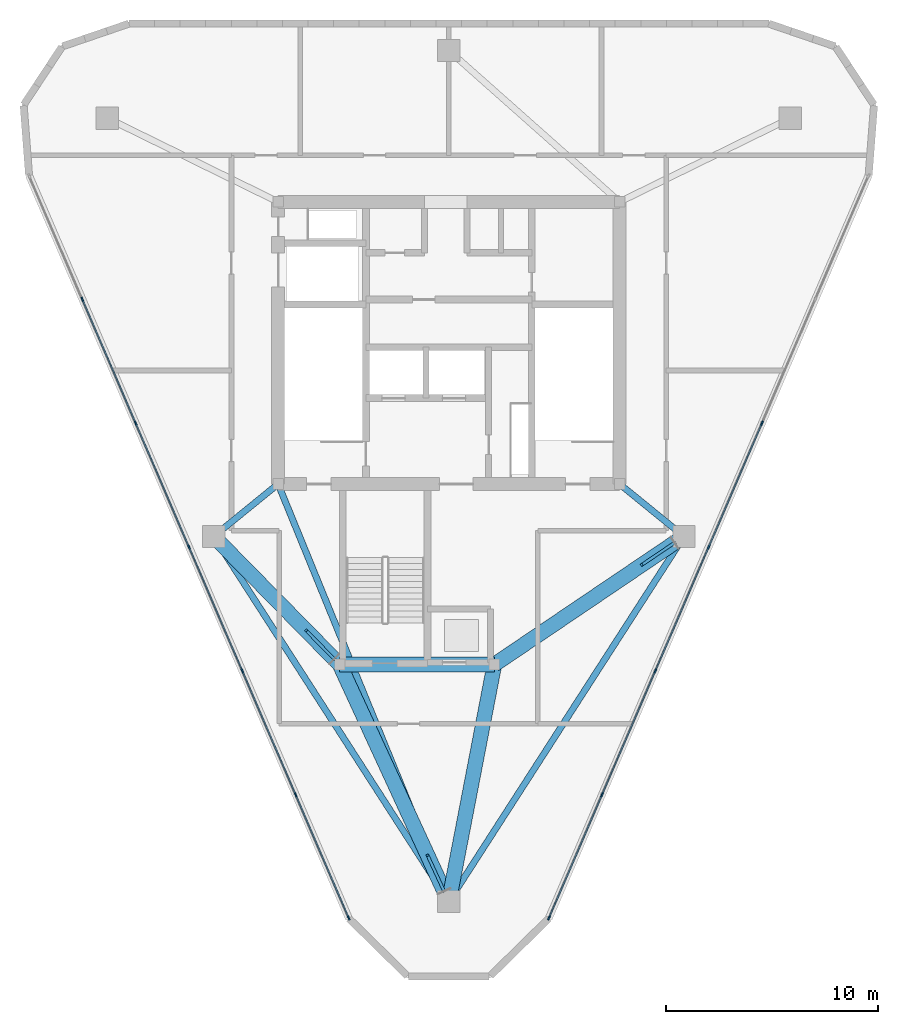
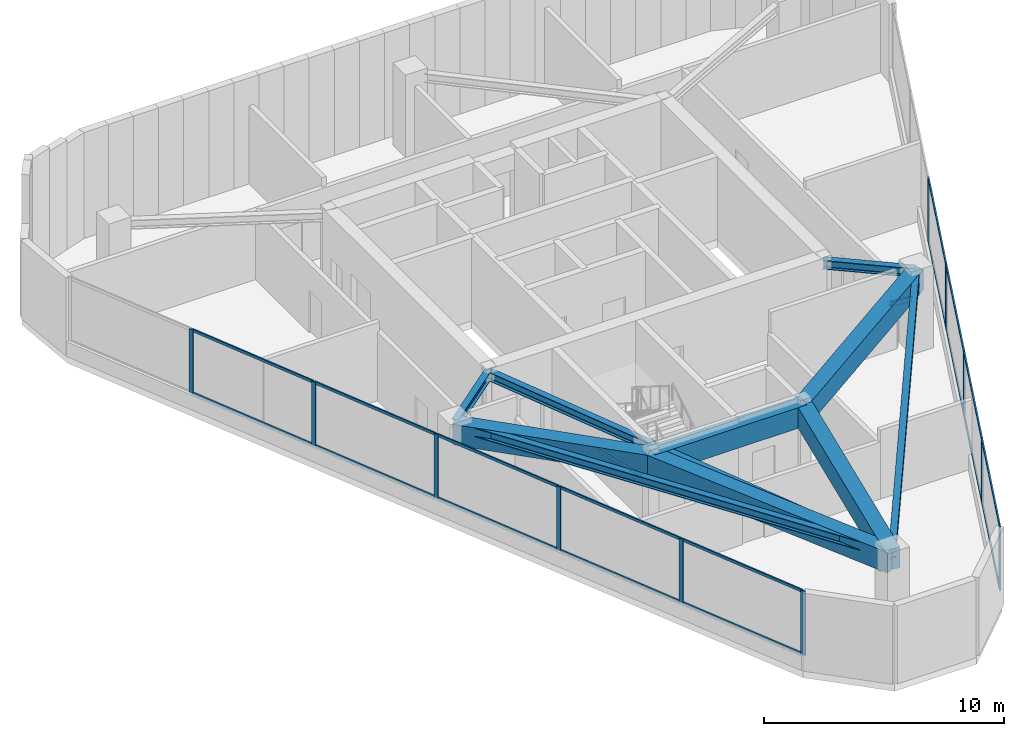
# One storey, part 2 of 9: 32 members, 10 beams, 2 elements without a shape of their own.
"""IFC4 building model written with IfcOpenShell, lengths in metres."""

from ifc_helpers import new_model, si_unit, direction, frame, origin, origin_2d, place, context, subcontext, project, spatial, rectangle, hollow_rectangle, i_section, extrude, material, layer, layer_set, material_profile, profile_set, type_object, element, aggregate, save


model = new_model("IFC4")

# Units and contexts
model_context = context("Model", 3, precision=1e-05, world=origin(), true_north=direction((0.0, 1.0)))
body_context = subcontext(model_context, "Body", "Model", "MODEL_VIEW")
ifc_project = project(units=[si_unit("LENGTHUNIT", "METRE"), si_unit("AREAUNIT", "SQUARE_METRE"), si_unit("VOLUMEUNIT", "CUBIC_METRE"), si_unit("PLANEANGLEUNIT", "RADIAN"), si_unit("MASSUNIT", "GRAM", prefix="KILO")], contexts=[model_context])

# Site, building, storey
site_placement = place(None, origin())
site = spatial("IfcSite", under=ifc_project, at=site_placement, CompositionType="ELEMENT")
building_placement = place(site_placement, origin())
building = spatial("IfcBuilding", under=site, at=building_placement, Name="Talyreon Biosciences Tower", CompositionType="ELEMENT")
storey_placement = place(building_placement, frame((0.0, 0.0, 317.199951171875)))
storey = spatial("IfcBuildingStorey", under=building, at=storey_placement, Name="L84", CompositionType="ELEMENT", Elevation=317.199951171875)

# Curtain wall, members
ifc_material_1 = material(Name="Thermally broken aluminium and low-E glazing", Category="aluminium")
ifc_layer = layer(ifc_material_1, 0.2099609375)
ifc_layer_set = layer_set([ifc_layer], Name="Thermally broken aluminium and low-E glazing")
curtain_wall_type = type_object("IfcCurtainWallType", Name="CurtainWall_SlantedCrown", PredefinedType="NOTDEFINED", material=ifc_layer_set)
curtain_wall_1_placement = place(storey_placement, origin())
curtain_wall_1 = element("IfcCurtainWall", 1, at=curtain_wall_1_placement, inside=storey, type_object=curtain_wall_type, Name="L84 Unitised Curtain Wall FCW-L84-07C", PredefinedType="NOTDEFINED")
ifc_material_2 = material(Name="Anodised thermally broken aluminium", Category="aluminium")
ifc_material_profile_1 = material_profile(ifc_material_2, rectangle(XDim=0.074951171875, YDim=0.2099609375, at=origin_2d()), Name="ALUM MULLION 75x210")
ifc_profile_set_1 = profile_set([ifc_material_profile_1], Name="Anodised thermally broken aluminium")
member_type_1 = type_object("IfcMemberType", Name="CWMullion_75x210", PredefinedType="MULLION", material=ifc_profile_set_1)
member_1_placement = place(storey_placement, frame((80.767822265625, 64.22021484375, 0.7099609375), z_axis=(0.0, 0.0, 1.0), x_axis=(0.918487228756, -0.395450642447, 0.0)))
member_1 = element("IfcMember", 2, at=member_1_placement, type_object=member_type_1, Name="CW8 mullion 3", PredefinedType="MULLION", context=body_context, shape_type="SweptSolid", body=[
    extrude(rectangle(XDim=0.074951171875, YDim=0.2099609375, at=origin_2d()), origin(), (0.0, 0.0, 1.0), 3.255126953125),
])
member_2_placement = place(storey_placement, frame((78.253173828125, 58.379150390625, 0.7099609375), z_axis=(0.0, 0.0, 1.0), x_axis=(0.918487228756, -0.395450642447, 0.0)))
member_2 = element("IfcMember", 3, at=member_2_placement, type_object=member_type_1, Name="CW8 mullion 4", PredefinedType="MULLION", context=body_context, shape_type="SweptSolid", body=[
    extrude(rectangle(XDim=0.074951171875, YDim=0.2099609375, at=origin_2d()), origin(), (0.0, 0.0, 1.0), 3.255126953125),
])
member_3_placement = place(storey_placement, frame((75.73828125, 52.538330078125, 0.7099609375), z_axis=(0.0, 0.0, 1.0), x_axis=(0.918487228756, -0.395450642447, 0.0)))
member_3 = element("IfcMember", 4, at=member_3_placement, type_object=member_type_1, Name="CW8 mullion 5", PredefinedType="MULLION", context=body_context, shape_type="SweptSolid", body=[
    extrude(rectangle(XDim=0.074951171875, YDim=0.2099609375, at=origin_2d()), origin(), (0.0, 0.0, 1.0), 3.255126953125),
])
member_4_placement = place(storey_placement, frame((73.2236328125, 46.697509765625, 0.7099609375), z_axis=(0.0, 0.0, 1.0), x_axis=(0.918487228756, -0.395450642447, 0.0)))
member_4 = element("IfcMember", 5, at=member_4_placement, type_object=member_type_1, Name="CW8 mullion 6", PredefinedType="MULLION", context=body_context, shape_type="SweptSolid", body=[
    extrude(rectangle(XDim=0.074951171875, YDim=0.2099609375, at=origin_2d()), origin(), (0.0, 0.0, 1.0), 3.255126953125),
])
member_5_placement = place(storey_placement, frame((70.7236328125, 40.89111328125, 0.7099609375), z_axis=(0.0, 0.0, 1.0), x_axis=(0.918487228756, -0.395450642447, 0.0)))
member_5 = element("IfcMember", 6, at=member_5_placement, type_object=member_type_1, Name="CW8 mullion 7", PredefinedType="MULLION", context=body_context, shape_type="SweptSolid", body=[
    extrude(rectangle(XDim=0.074951171875, YDim=0.2099609375, at=origin_2d()), origin(), (0.0, 0.0, 1.0), 3.255126953125),
])

curtain_wall_2_placement = place(storey_placement, origin())
curtain_wall_2 = element("IfcCurtainWall", 7, at=curtain_wall_2_placement, inside=storey, type_object=curtain_wall_type, Name="L84 Unitised Curtain Wall FCW-L84-11C", PredefinedType="NOTDEFINED")
member_6_placement = place(storey_placement, frame((61.2763671875, 40.89111328125, 0.7099609375), z_axis=(0.0, 0.0, 1.0), x_axis=(-0.918487228756, -0.395450642447, 0.0)))
member_6 = element("IfcMember", 8, at=member_6_placement, type_object=member_type_1, Name="CW8 mullion 1", PredefinedType="MULLION", context=body_context, shape_type="SweptSolid", body=[
    extrude(rectangle(XDim=0.074951171875, YDim=0.2099609375, at=origin_2d()), origin(), (0.0, 0.0, 1.0), 3.255126953125),
])
member_7_placement = place(storey_placement, frame((58.7763671875, 46.697509765625, 0.7099609375), z_axis=(0.0, 0.0, 1.0), x_axis=(-0.918487228756, -0.395450642447, 0.0)))
member_7 = element("IfcMember", 9, at=member_7_placement, type_object=member_type_1, Name="CW8 mullion 2", PredefinedType="MULLION", context=body_context, shape_type="SweptSolid", body=[
    extrude(rectangle(XDim=0.074951171875, YDim=0.2099609375, at=origin_2d()), origin(), (0.0, 0.0, 1.0), 3.255126953125),
])
member_8_placement = place(storey_placement, frame((56.26171875, 52.538330078125, 0.7099609375), z_axis=(0.0, 0.0, 1.0), x_axis=(-0.918487228756, -0.395450642447, 0.0)))
member_8 = element("IfcMember", 10, at=member_8_placement, type_object=member_type_1, Name="CW8 mullion 3", PredefinedType="MULLION", context=body_context, shape_type="SweptSolid", body=[
    extrude(rectangle(XDim=0.074951171875, YDim=0.2099609375, at=origin_2d()), origin(), (0.0, 0.0, 1.0), 3.255126953125),
])
member_9_placement = place(storey_placement, frame((53.746826171875, 58.379150390625, 0.7099609375), z_axis=(0.0, 0.0, 1.0), x_axis=(-0.918487228756, -0.395450642447, 0.0)))
member_9 = element("IfcMember", 11, at=member_9_placement, type_object=member_type_1, Name="CW8 mullion 4", PredefinedType="MULLION", context=body_context, shape_type="SweptSolid", body=[
    extrude(rectangle(XDim=0.074951171875, YDim=0.2099609375, at=origin_2d()), origin(), (0.0, 0.0, 1.0), 3.255126953125),
])
member_10_placement = place(storey_placement, frame((51.232177734375, 64.22021484375, 0.7099609375), z_axis=(0.0, 0.0, 1.0), x_axis=(-0.918487228756, -0.395450642447, 0.0)))
member_10 = element("IfcMember", 12, at=member_10_placement, type_object=member_type_1, Name="CW8 mullion 5", PredefinedType="MULLION", context=body_context, shape_type="SweptSolid", body=[
    extrude(rectangle(XDim=0.074951171875, YDim=0.2099609375, at=origin_2d()), origin(), (0.0, 0.0, 1.0), 3.255126953125),
])
member_11_placement = place(storey_placement, frame((48.71728515625, 70.06103515625, 0.7099609375), z_axis=(0.0, 0.0, 1.0), x_axis=(-0.918487228756, -0.395450642447, 0.0)))
member_11 = element("IfcMember", 13, at=member_11_placement, type_object=member_type_1, Name="CW8 mullion 6", PredefinedType="MULLION", context=body_context, shape_type="SweptSolid", body=[
    extrude(rectangle(XDim=0.074951171875, YDim=0.2099609375, at=origin_2d()), origin(), (0.0, 0.0, 1.0), 3.255126953125),
])

# Member
ifc_material_profile_2 = material_profile(ifc_material_2, rectangle(XDim=0.06494140625, YDim=0.139892578125, at=origin_2d()), Name="ALUM TRANSOM 65x140")
ifc_profile_set_2 = profile_set([ifc_material_profile_2], Name="Anodised thermally broken aluminium")
member_type_2 = type_object("IfcMemberType", Name="CWTransom_65x140", PredefinedType="USERDEFINED", material=ifc_profile_set_2)
member_12_placement = place(storey_placement, frame((80.7529296875, 64.185791015625, 0.742431640625), z_axis=(-0.395437866988, -0.918492729069, 0.0), x_axis=(0.918492729069, -0.395437866988, 0.0)))
member_12 = element("IfcMember", 14, at=member_12_placement, type_object=member_type_2, Name="CW8 transom 3.1", ObjectType="TRANSOM", PredefinedType="USERDEFINED", context=body_context, shape_type="SweptSolid", body=[
    extrude(rectangle(XDim=0.06494140625, YDim=0.139892578125, at=origin_2d()), origin(), (0.0, 0.0, 1.0), 6.284423828125),
])

member_13_placement = place(storey_placement, frame((80.7529296875, 64.185791015625, 3.9326171875), z_axis=(-0.395437866988, -0.918492729069, 0.0), x_axis=(0.918492729069, -0.395437866988, 0.0)))
member_13 = element("IfcMember", 15, at=member_13_placement, type_object=member_type_2, Name="CW8 transom 3.2", ObjectType="TRANSOM", PredefinedType="USERDEFINED", context=body_context, shape_type="SweptSolid", body=[
    extrude(rectangle(XDim=0.06494140625, YDim=0.139892578125, at=origin_2d()), origin(), (0.0, 0.0, 1.0), 6.284423828125),
])

member_14_placement = place(storey_placement, frame((78.23828125, 58.3447265625, 0.742431640625), z_axis=(-0.395451977448, -0.918486653976, 0.0), x_axis=(0.918486653976, -0.395451977448, 0.0)))
member_14 = element("IfcMember", 16, at=member_14_placement, type_object=member_type_2, Name="CW8 transom 4.1", ObjectType="TRANSOM", PredefinedType="USERDEFINED", context=body_context, shape_type="SweptSolid", body=[
    extrude(rectangle(XDim=0.06494140625, YDim=0.139892578125, at=origin_2d()), origin(), (0.0, 0.0, 1.0), 6.2841796875),
])

member_15_placement = place(storey_placement, frame((78.23828125, 58.3447265625, 3.9326171875), z_axis=(-0.395451977448, -0.918486653976, 0.0), x_axis=(0.918486653976, -0.395451977448, 0.0)))
member_15 = element("IfcMember", 17, at=member_15_placement, type_object=member_type_2, Name="CW8 transom 4.2", ObjectType="TRANSOM", PredefinedType="USERDEFINED", context=body_context, shape_type="SweptSolid", body=[
    extrude(rectangle(XDim=0.06494140625, YDim=0.139892578125, at=origin_2d()), origin(), (0.0, 0.0, 1.0), 6.2841796875),
])

member_16_placement = place(storey_placement, frame((75.723388671875, 52.50390625, 0.742431640625), z_axis=(-0.395451977448, -0.918486653976, 0.0), x_axis=(0.918486653976, -0.395451977448, 0.0)))
member_16 = element("IfcMember", 18, at=member_16_placement, type_object=member_type_2, Name="CW8 transom 5.1", ObjectType="TRANSOM", PredefinedType="USERDEFINED", context=body_context, shape_type="SweptSolid", body=[
    extrude(rectangle(XDim=0.06494140625, YDim=0.139892578125, at=origin_2d()), origin(), (0.0, 0.0, 1.0), 6.2841796875),
])

member_17_placement = place(storey_placement, frame((75.723388671875, 52.50390625, 3.9326171875), z_axis=(-0.395451977448, -0.918486653976, 0.0), x_axis=(0.918486653976, -0.395451977448, 0.0)))
member_17 = element("IfcMember", 19, at=member_17_placement, type_object=member_type_2, Name="CW8 transom 5.2", ObjectType="TRANSOM", PredefinedType="USERDEFINED", context=body_context, shape_type="SweptSolid", body=[
    extrude(rectangle(XDim=0.06494140625, YDim=0.139892578125, at=origin_2d()), origin(), (0.0, 0.0, 1.0), 6.2841796875),
])

member_18_placement = place(storey_placement, frame((73.208740234375, 46.6630859375, 0.742431640625), z_axis=(-0.395442322604, -0.918490810784, 0.0), x_axis=(0.918490810784, -0.395442322604, 0.0)))
member_18 = element("IfcMember", 20, at=member_18_placement, type_object=member_type_2, Name="CW8 transom 6.1", ObjectType="TRANSOM", PredefinedType="USERDEFINED", context=body_context, shape_type="SweptSolid", body=[
    extrude(rectangle(XDim=0.06494140625, YDim=0.139892578125, at=origin_2d()), origin(), (0.0, 0.0, 1.0), 6.246826171875),
])

member_19_placement = place(storey_placement, frame((73.208740234375, 46.6630859375, 3.9326171875), z_axis=(-0.395442322604, -0.918490810784, 0.0), x_axis=(0.918490810784, -0.395442322604, 0.0)))
member_19 = element("IfcMember", 21, at=member_19_placement, type_object=member_type_2, Name="CW8 transom 6.2", ObjectType="TRANSOM", PredefinedType="USERDEFINED", context=body_context, shape_type="SweptSolid", body=[
    extrude(rectangle(XDim=0.06494140625, YDim=0.139892578125, at=origin_2d()), origin(), (0.0, 0.0, 1.0), 6.246826171875),
])

aggregate(curtain_wall_1, [member_1, member_2, member_3, member_4, member_5, member_12, member_13, member_14, member_15, member_16, member_17, member_18, member_19])

member_20_placement = place(storey_placement, frame((61.261474609375, 40.925537109375, 0.742431640625), z_axis=(-0.395442322604, 0.918490810784, 0.0), x_axis=(-0.918490810784, -0.395442322604, 0.0)))
member_20 = element("IfcMember", 22, at=member_20_placement, type_object=member_type_2, Name="CW8 transom 1.1", ObjectType="TRANSOM", PredefinedType="USERDEFINED", context=body_context, shape_type="SweptSolid", body=[
    extrude(rectangle(XDim=0.06494140625, YDim=0.139892578125, at=origin_2d()), origin(), (0.0, 0.0, 1.0), 6.246826171875),
])

member_21_placement = place(storey_placement, frame((61.261474609375, 40.925537109375, 3.9326171875), z_axis=(-0.395442322604, 0.918490810784, 0.0), x_axis=(-0.918490810784, -0.395442322604, 0.0)))
member_21 = element("IfcMember", 23, at=member_21_placement, type_object=member_type_2, Name="CW8 transom 1.2", ObjectType="TRANSOM", PredefinedType="USERDEFINED", context=body_context, shape_type="SweptSolid", body=[
    extrude(rectangle(XDim=0.06494140625, YDim=0.139892578125, at=origin_2d()), origin(), (0.0, 0.0, 1.0), 6.246826171875),
])

member_22_placement = place(storey_placement, frame((58.76171875, 46.73193359375, 0.742431640625), z_axis=(-0.395451977448, 0.918486653976, 0.0), x_axis=(-0.918486653976, -0.395451977448, 0.0)))
member_22 = element("IfcMember", 24, at=member_22_placement, type_object=member_type_2, Name="CW8 transom 2.1", ObjectType="TRANSOM", PredefinedType="USERDEFINED", context=body_context, shape_type="SweptSolid", body=[
    extrude(rectangle(XDim=0.06494140625, YDim=0.139892578125, at=origin_2d()), origin(), (0.0, 0.0, 1.0), 6.2841796875),
])

member_23_placement = place(storey_placement, frame((58.76171875, 46.73193359375, 3.9326171875), z_axis=(-0.395451977448, 0.918486653976, 0.0), x_axis=(-0.918486653976, -0.395451977448, 0.0)))
member_23 = element("IfcMember", 25, at=member_23_placement, type_object=member_type_2, Name="CW8 transom 2.2", ObjectType="TRANSOM", PredefinedType="USERDEFINED", context=body_context, shape_type="SweptSolid", body=[
    extrude(rectangle(XDim=0.06494140625, YDim=0.139892578125, at=origin_2d()), origin(), (0.0, 0.0, 1.0), 6.2841796875),
])

member_24_placement = place(storey_placement, frame((56.246826171875, 52.57275390625, 0.742431640625), z_axis=(-0.395451977448, 0.918486653976, 0.0), x_axis=(-0.918486653976, -0.395451977448, 0.0)))
member_24 = element("IfcMember", 26, at=member_24_placement, type_object=member_type_2, Name="CW8 transom 3.1", ObjectType="TRANSOM", PredefinedType="USERDEFINED", context=body_context, shape_type="SweptSolid", body=[
    extrude(rectangle(XDim=0.06494140625, YDim=0.139892578125, at=origin_2d()), origin(), (0.0, 0.0, 1.0), 6.2841796875),
])

member_25_placement = place(storey_placement, frame((56.246826171875, 52.57275390625, 3.9326171875), z_axis=(-0.395451977448, 0.918486653976, 0.0), x_axis=(-0.918486653976, -0.395451977448, 0.0)))
member_25 = element("IfcMember", 27, at=member_25_placement, type_object=member_type_2, Name="CW8 transom 3.2", ObjectType="TRANSOM", PredefinedType="USERDEFINED", context=body_context, shape_type="SweptSolid", body=[
    extrude(rectangle(XDim=0.06494140625, YDim=0.139892578125, at=origin_2d()), origin(), (0.0, 0.0, 1.0), 6.2841796875),
])

member_26_placement = place(storey_placement, frame((53.732177734375, 58.41357421875, 0.742431640625), z_axis=(-0.395437866988, 0.918492729069, 0.0), x_axis=(-0.918492729069, -0.395437866988, 0.0)))
member_26 = element("IfcMember", 28, at=member_26_placement, type_object=member_type_2, Name="CW8 transom 4.1", ObjectType="TRANSOM", PredefinedType="USERDEFINED", context=body_context, shape_type="SweptSolid", body=[
    extrude(rectangle(XDim=0.06494140625, YDim=0.139892578125, at=origin_2d()), origin(), (0.0, 0.0, 1.0), 6.284423828125),
])

member_27_placement = place(storey_placement, frame((53.732177734375, 58.41357421875, 3.9326171875), z_axis=(-0.395437866988, 0.918492729069, 0.0), x_axis=(-0.918492729069, -0.395437866988, 0.0)))
member_27 = element("IfcMember", 29, at=member_27_placement, type_object=member_type_2, Name="CW8 transom 4.2", ObjectType="TRANSOM", PredefinedType="USERDEFINED", context=body_context, shape_type="SweptSolid", body=[
    extrude(rectangle(XDim=0.06494140625, YDim=0.139892578125, at=origin_2d()), origin(), (0.0, 0.0, 1.0), 6.284423828125),
])

member_28_placement = place(storey_placement, frame((51.21728515625, 64.254638671875, 0.742431640625), z_axis=(-0.395451977448, 0.918486653976, 0.0), x_axis=(-0.918486653976, -0.395451977448, 0.0)))
member_28 = element("IfcMember", 30, at=member_28_placement, type_object=member_type_2, Name="CW8 transom 5.1", ObjectType="TRANSOM", PredefinedType="USERDEFINED", context=body_context, shape_type="SweptSolid", body=[
    extrude(rectangle(XDim=0.06494140625, YDim=0.139892578125, at=origin_2d()), origin(), (0.0, 0.0, 1.0), 6.2841796875),
])

member_29_placement = place(storey_placement, frame((51.21728515625, 64.254638671875, 3.9326171875), z_axis=(-0.395451977448, 0.918486653976, 0.0), x_axis=(-0.918486653976, -0.395451977448, 0.0)))
member_29 = element("IfcMember", 31, at=member_29_placement, type_object=member_type_2, Name="CW8 transom 5.2", ObjectType="TRANSOM", PredefinedType="USERDEFINED", context=body_context, shape_type="SweptSolid", body=[
    extrude(rectangle(XDim=0.06494140625, YDim=0.139892578125, at=origin_2d()), origin(), (0.0, 0.0, 1.0), 6.2841796875),
])

aggregate(curtain_wall_2, [member_6, member_7, member_8, member_9, member_10, member_11, member_20, member_21, member_22, member_23, member_24, member_25, member_26, member_27, member_28, member_29])

# Members
ifc_material_3 = material(Name="Steel SM355", Category="steel")
ifc_material_profile_3 = material_profile(ifc_material_3, hollow_rectangle(XDim=0.139892578125, YDim=0.219970703125, WallThickness=0.010009765625, at=origin_2d()), Name="RHS 220x140x10")
ifc_profile_set_3 = profile_set([ifc_material_profile_3], Name="Steel SM355")
member_type_3 = type_object("IfcMemberType", Name="LoggiaStrut_RHS220x140", PredefinedType="STRUT", material=ifc_profile_set_3)
member_30_placement = place(storey_placement, frame((65.778076171875, 42.148193359375, 2.679931640625), z_axis=(-0.374380298806, 0.812286138021, 0.447247830452), x_axis=(-0.908180892423, -0.418577909878, 0.0)))
element("IfcMember", 32, at=member_30_placement, inside=storey, type_object=member_type_3, Name="L84 Crown Knee-Brace Strut 01", PredefinedType="STRUT", context=body_context, shape_type="SweptSolid", body=[
    extrude(hollow_rectangle(XDim=0.139892578125, YDim=0.219970703125, WallThickness=0.010009765625, at=origin_2d()), origin(), (0.0, 0.0, 1.0), 2.090576171875),
])
member_31_placement = place(storey_placement, frame((76.647216796875, 58.58349609375, 2.679931640625), z_axis=(-0.741038979449, -0.500837721849, 0.447239094121), x_axis=(0.559961577943, -0.828518576272, 0.0)))
element("IfcMember", 33, at=member_31_placement, inside=storey, type_object=member_type_3, Name="L84 Crown Knee-Brace Strut 02", PredefinedType="STRUT", context=body_context, shape_type="SweptSolid", body=[
    extrude(hollow_rectangle(XDim=0.139892578125, YDim=0.219970703125, WallThickness=0.010009765625, at=origin_2d()), origin(), (0.0, 0.0, 1.0), 2.0908203125),
])
member_32_placement = place(storey_placement, frame((60.59765625, 53.0966796875, 2.679931640625), z_axis=(-0.628205957862, 0.639320549081, 0.443425878845), x_axis=(-0.713279784307, -0.700879411382, 0.0)))
element("IfcMember", 34, at=member_32_placement, inside=storey, type_object=member_type_3, Name="L84 Crown Knee-Brace Strut 03", PredefinedType="STRUT", context=body_context, shape_type="SweptSolid", body=[
    extrude(hollow_rectangle(XDim=0.139892578125, YDim=0.219970703125, WallThickness=0.010009765625, at=origin_2d()), origin(), (0.0, 0.0, 1.0), 2.108642578125),
])

# Beams
ifc_material_profile_4 = material_profile(ifc_material_3, i_section(OverallWidth=0.300048828125, OverallDepth=0.449951171875, WebThickness=0.013916015625, FlangeThickness=0.02587890625, FilletRadius=0.027099609375, at=origin_2d()), Name="HE450B")
ifc_profile_set_4 = profile_set([ifc_material_profile_4], Name="Steel SM355")
beam_type_1 = type_object("IfcBeamType", Name="SteelBeam_HE450B", PredefinedType="BEAM", material=ifc_profile_set_4)
for number, where, z_axis, x_axis, name in (
    (35, (66.0, 41.6669921875, 3.739990234375), (0.541463723609, 0.840724114092, 0.0), (-0.840724114092, 0.541463723609, 0.0), "L84 Mega-Ring Girder 1"),
    (36, (54.913818359375, 58.88037109375, 3.739990234375), (0.541463723609, -0.840724114092, 0.0), (0.840724114092, 0.541463723609, 0.0), "L84 Mega-Ring Girder 6"),
):
    element("IfcBeam", number, at=place(storey_placement, frame(where, z_axis=z_axis, x_axis=x_axis)), inside=storey, type_object=beam_type_1, Name=name, PredefinedType="BEAM", context=body_context, shape_type="SweptSolid", body=[
        extrude(i_section(OverallWidth=0.300048828125, OverallDepth=0.449951171875, WebThickness=0.013916015625, FlangeThickness=0.02587890625, FilletRadius=0.027099609375, at=origin_2d()), origin(), (0.0, 0.0, 1.0), 20.474365234375),
    ])
beam_1_placement = place(storey_placement, frame((57.949951171875, 61.35009765625, 3.739990234375), z_axis=(0.378547014545, -0.925582064314, 0.0), x_axis=(0.925582064314, 0.378547014545, 0.0)))
element("IfcBeam", 37, at=beam_1_placement, inside=storey, type_object=beam_type_1, Name="L84 Radial Primary Girder 1", PredefinedType="BEAM", context=body_context, shape_type="SweptSolid", body=[
    extrude(i_section(OverallWidth=0.300048828125, OverallDepth=0.449951171875, WebThickness=0.013916015625, FlangeThickness=0.02587890625, FilletRadius=0.027099609375, at=origin_2d()), origin(), (0.0, 0.0, 1.0), 21.265625),
])
for number, where, z_axis, x_axis, name in (
    (38, (74.050048828125, 61.35009765625, 3.739990234375), (0.775755154013, -0.631034025249, 0.0), (0.631034025249, 0.775755154013, 0.0), "L84 Radial Primary Girder 2"),
    (39, (57.949951171875, 61.35009765625, 3.739990234375), (-0.775755154013, -0.631034025249, 0.0), (0.631034025249, -0.775755154013, 0.0), "L84 Radial Primary Girder 6"),
):
    element("IfcBeam", number, at=place(storey_placement, frame(where, z_axis=z_axis, x_axis=x_axis)), inside=storey, type_object=beam_type_1, Name=name, PredefinedType="BEAM", context=body_context, shape_type="SweptSolid", body=[
        extrude(i_section(OverallWidth=0.300048828125, OverallDepth=0.449951171875, WebThickness=0.013916015625, FlangeThickness=0.02587890625, FilletRadius=0.027099609375, at=origin_2d()), origin(), (0.0, 0.0, 1.0), 3.913818359375),
    ])
ifc_material_4 = material(Name="Concrete C50/60", Category="concrete")
ifc_material_profile_5 = material_profile(ifc_material_4, rectangle(XDim=0.699951171875, YDim=1.050048828125, at=origin_2d()), Name="RCB 700x1050")
ifc_profile_set_5 = profile_set([ifc_material_profile_5], Name="Concrete C50/60")
beam_type_2 = type_object("IfcBeamType", Name="StepTransferSpandrel_700x1050", PredefinedType="SPANDREL", material=ifc_profile_set_5)
beam_2_placement = place(storey_placement, frame((60.85009765625, 52.840087890625, 3.43994140625), z_axis=(1.0, 0.0, 0.0), x_axis=(0.0, 1.0, 0.0)))
element("IfcBeam", 40, at=beam_2_placement, inside=storey, type_object=beam_type_2, Name="L84 Crown Shaft Spine Girder S", PredefinedType="SPANDREL", context=body_context, shape_type="SweptSolid", body=[
    extrude(rectangle(XDim=0.699951171875, YDim=1.050048828125, at=origin_2d()), origin(), (0.0, 0.0, 1.0), 7.2998046875),
])
beam_3_placement = place(storey_placement, frame((60.85009765625, 52.840087890625, 3.43994140625), z_axis=(0.41859502546, -0.908173003706, 0.0), x_axis=(0.908173003706, 0.41859502546, 0.0)))
element("IfcBeam", 41, at=beam_3_placement, inside=storey, type_object=beam_type_2, Name="L84 Crown Prow Tie Girder W", PredefinedType="SPANDREL", context=body_context, shape_type="SweptSolid", body=[
    extrude(rectangle(XDim=0.699951171875, YDim=1.050048828125, at=origin_2d()), origin(), (0.0, 0.0, 1.0), 12.302734375),
])
beam_4_placement = place(storey_placement, frame((68.14990234375, 52.840087890625, 3.43994140625), z_axis=(-0.188951648003, -0.981986392328, 0.0), x_axis=(0.981986392328, -0.188951648003, 0.0)))
element("IfcBeam", 42, at=beam_4_placement, inside=storey, type_object=beam_type_2, Name="L84 Crown Prow Tie Girder E", PredefinedType="SPANDREL", context=body_context, shape_type="SweptSolid", body=[
    extrude(rectangle(XDim=0.699951171875, YDim=1.050048828125, at=origin_2d()), origin(), (0.0, 0.0, 1.0), 11.378173828125),
])
beam_5_placement = place(storey_placement, frame((60.85009765625, 52.840087890625, 3.43994140625), z_axis=(-0.700939870305, 0.713220371426, 0.0), x_axis=(-0.713220371426, -0.700939870305, 0.0)))
element("IfcBeam", 43, at=beam_5_placement, inside=storey, type_object=beam_type_2, Name="L84 Crown Flank Girder MC6", PredefinedType="SPANDREL", context=body_context, shape_type="SweptSolid", body=[
    extrude(rectangle(XDim=0.699951171875, YDim=1.050048828125, at=origin_2d()), origin(), (0.0, 0.0, 1.0), 8.468994140625),
])
beam_6_placement = place(storey_placement, frame((68.14990234375, 52.840087890625, 3.43994140625), z_axis=(0.828491902441, 0.560001042491, 0.0), x_axis=(-0.560001042491, 0.828491902441, 0.0)))
element("IfcBeam", 44, at=beam_6_placement, inside=storey, type_object=beam_type_2, Name="L84 Crown Flank Girder MC4", PredefinedType="SPANDREL", context=body_context, shape_type="SweptSolid", body=[
    extrude(rectangle(XDim=0.699951171875, YDim=1.050048828125, at=origin_2d()), origin(), (0.0, 0.0, 1.0), 10.7861328125),
])

save(model, "model.ifc")
